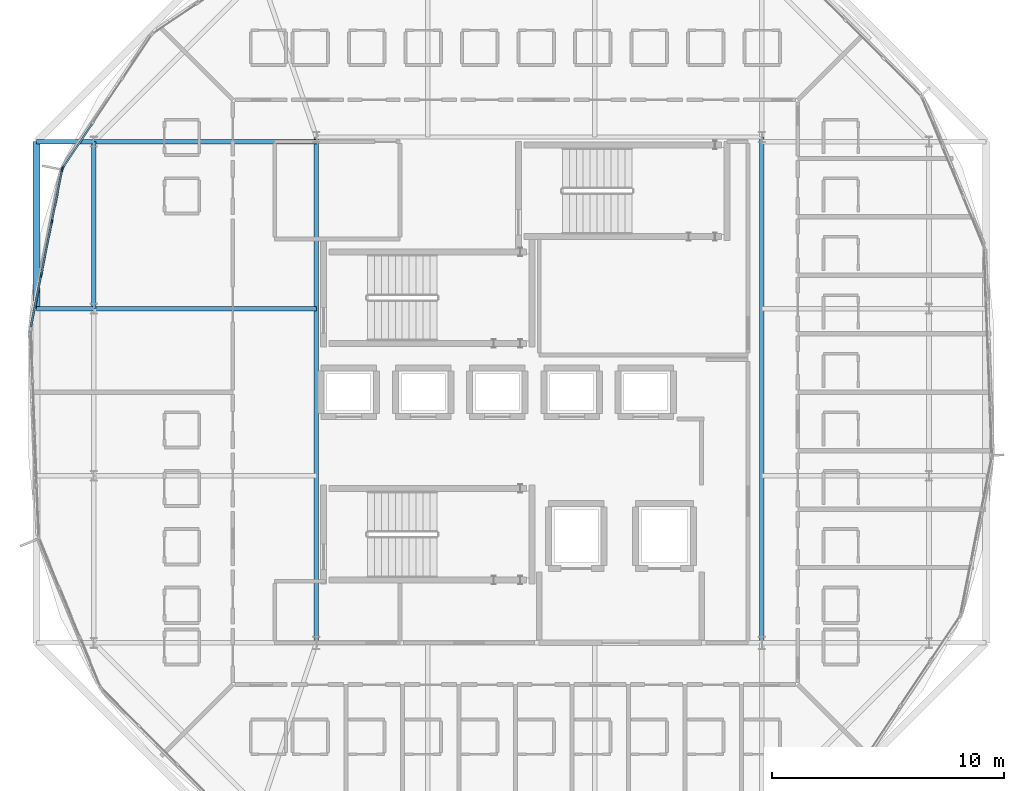
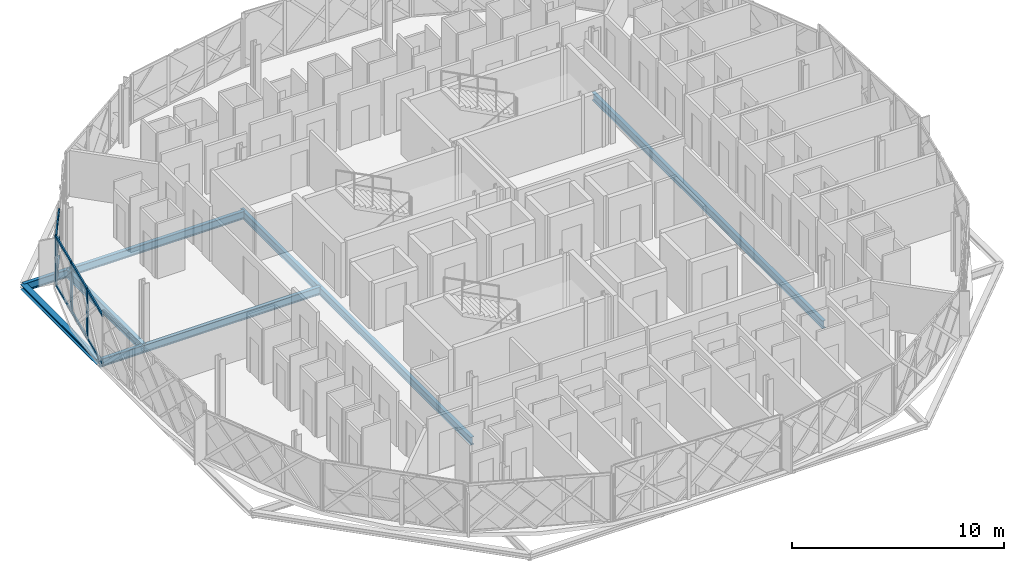
# One storey, part 6 of 24: 13 members, 8 beams, 2 elements without a shape of their own.
"""IFC4 building model written with IfcOpenShell, lengths in metres."""

from ifc_helpers import new_model, si_unit, direction, frame, origin, origin_2d, place, context, subcontext, project, spatial, rectangle, i_section, extrude, material, layer, layer_set, material_profile, profile_set, type_object, element, aggregate, save


model = new_model("IFC4")

# Units and contexts
model_context = context("Model", 3, precision=1e-05, world=origin(), true_north=direction((0.0, 1.0)))
body_context = subcontext(model_context, "Body", "Model", "MODEL_VIEW")
ifc_project = project(units=[si_unit("LENGTHUNIT", "METRE"), si_unit("AREAUNIT", "SQUARE_METRE"), si_unit("VOLUMEUNIT", "CUBIC_METRE"), si_unit("PLANEANGLEUNIT", "RADIAN"), si_unit("MASSUNIT", "GRAM", prefix="KILO")], contexts=[model_context])

# Site, building, storey
site_placement = place(None, origin())
site = spatial("IfcSite", under=ifc_project, at=site_placement, CompositionType="ELEMENT")
building_placement = place(site_placement, origin())
building = spatial("IfcBuilding", under=site, at=building_placement, Name="Zevrakil Square Congress Hotel", CompositionType="ELEMENT")
storey_placement = place(building_placement, frame((0.0, 0.0, 31.699951171875)))
storey = spatial("IfcBuildingStorey", under=building, at=storey_placement, Name="L09", CompositionType="ELEMENT", Elevation=31.699951171875)

# Beams
ifc_material_1 = material(Name="Steel S355", Category="steel")
ifc_material_profile_1 = material_profile(ifc_material_1, i_section(OverallWidth=0.18994140625, OverallDepth=0.449951171875, WebThickness=0.009521484375, FlangeThickness=0.0146484375, FilletRadius=0.02099609375, at=origin_2d()), Name="IPE 450")
ifc_profile_set_1 = profile_set([ifc_material_profile_1], Name="Steel S355")
beam_type_1 = type_object("IfcBeamType", Name="BM-IPE450", PredefinedType="BEAM", material=ifc_profile_set_1)
for number, where, z_axis, x_axis, name in (
    (1, (156.0, 16.800048828125, -0.449951171875), (0.0, 1.0, 0.0), (-1.0, 0.0, 0.0), "L09 drum core perimeter tie beam DCB-02"),
    (2, (136.800048828125, 38.60009765625, -0.449951171875), (0.0, -1.0, 0.0), (1.0, 0.0, 0.0), "L09 drum core perimeter tie beam DCB-04"),
):
    element("IfcBeam", number, at=place(storey_placement, frame(where, z_axis=z_axis, x_axis=x_axis)), inside=storey, type_object=beam_type_1, Name=name, PredefinedType="BEAM", context=body_context, shape_type="SweptSolid", body=[
        extrude(i_section(OverallWidth=0.18994140625, OverallDepth=0.449951171875, WebThickness=0.009521484375, FlangeThickness=0.0146484375, FilletRadius=0.02099609375, at=origin_2d()), origin(), (0.0, 0.0, 1.0), 21.800048828125),
    ])
beam_1_placement = place(storey_placement, frame((136.800048828125, 38.39990234375, -0.449951171875), z_axis=(-1.0, 0.0, 0.0), x_axis=(0.0, -1.0, 0.0)))
element("IfcBeam", 3, at=beam_1_placement, inside=storey, type_object=beam_type_1, Name="L09 drum radial floor beam DRI-13", PredefinedType="BEAM", context=body_context, shape_type="SweptSolid", body=[
    extrude(i_section(OverallWidth=0.18994140625, OverallDepth=0.449951171875, WebThickness=0.009521484375, FlangeThickness=0.0146484375, FilletRadius=0.02099609375, at=origin_2d()), origin(), (0.0, 0.0, 1.0), 9.60009765625),
])
beam_2_placement = place(storey_placement, frame((127.199951171875, 38.39990234375, -0.449951171875), z_axis=(-1.0, 0.0, 0.0), x_axis=(0.0, -1.0, 0.0)))
element("IfcBeam", 4, at=beam_2_placement, inside=storey, type_object=beam_type_1, Name="L09 drum radial edge cantilever beam DRO-13", PredefinedType="BEAM", context=body_context, shape_type="SweptSolid", body=[
    extrude(i_section(OverallWidth=0.18994140625, OverallDepth=0.449951171875, WebThickness=0.009521484375, FlangeThickness=0.0146484375, FilletRadius=0.02099609375, at=origin_2d()), origin(), (0.0, 0.0, 1.0), 2.454833984375),
])
beam_3_placement = place(storey_placement, frame((136.800048828125, 31.199951171875, -0.449951171875), z_axis=(-1.0, 0.0, 0.0), x_axis=(0.0, -1.0, 0.0)))
element("IfcBeam", 5, at=beam_3_placement, inside=storey, type_object=beam_type_1, Name="L09 drum radial floor beam DRI-14", PredefinedType="BEAM", context=body_context, shape_type="SweptSolid", body=[
    extrude(i_section(OverallWidth=0.18994140625, OverallDepth=0.449951171875, WebThickness=0.009521484375, FlangeThickness=0.0146484375, FilletRadius=0.02099609375, at=origin_2d()), origin(), (0.0, 0.0, 1.0), 9.60009765625),
])
beam_4_placement = place(storey_placement, frame((127.199951171875, 31.199951171875, -0.449951171875), z_axis=(-1.0, 0.0, 0.0), x_axis=(0.0, -1.0, 0.0)))
element("IfcBeam", 6, at=beam_4_placement, inside=storey, type_object=beam_type_1, Name="L09 drum radial edge cantilever beam DRO-14", PredefinedType="BEAM", context=body_context, shape_type="SweptSolid", body=[
    extrude(i_section(OverallWidth=0.18994140625, OverallDepth=0.449951171875, WebThickness=0.009521484375, FlangeThickness=0.0146484375, FilletRadius=0.02099609375, at=origin_2d()), origin(), (0.0, 0.0, 1.0), 2.454833984375),
])
ifc_material_2 = material(Name="Steel S355", Category="steel")
ifc_material_profile_2 = material_profile(ifc_material_2, i_section(OverallWidth=0.199951171875, OverallDepth=0.5, WebThickness=0.01025390625, FlangeThickness=0.01611328125, FilletRadius=0.02099609375, at=origin_2d()), Name="IPE 500")
ifc_profile_set_2 = profile_set([ifc_material_profile_2], Name="Steel S355")
beam_type_2 = type_object("IfcBeamType", Name="BM-IPE500", PredefinedType="BEAM", material=ifc_profile_set_2)
beam_5_placement = place(storey_placement, frame((127.199951171875, 38.39990234375, -0.474853515625), z_axis=(0.0, -1.0, 0.0), x_axis=(1.0, 0.0, 0.0)))
element("IfcBeam", 7, at=beam_5_placement, inside=storey, type_object=beam_type_2, Name="L09 drum ring girder DRB-13", PredefinedType="BEAM", context=body_context, shape_type="SweptSolid", body=[
    extrude(i_section(OverallWidth=0.199951171875, OverallDepth=0.5, WebThickness=0.01025390625, FlangeThickness=0.01611328125, FilletRadius=0.02099609375, at=origin_2d()), origin(), (0.0, 0.0, 1.0), 7.199951171875),
])

# Curtain wall, members
ifc_material_3 = material(Name="Aluminium Anodised Bronze", Category="aluminium")
ifc_layer = layer(ifc_material_3, 0.179931640625)
ifc_layer_set = layer_set([ifc_layer], Name="Aluminium Anodised Bronze")
curtain_wall_type = type_object("IfcCurtainWallType", Name="CW-L09-720", PredefinedType="USERDEFINED", material=ifc_layer_set)
curtain_wall_1_placement = place(storey_placement, origin())
curtain_wall_1 = element("IfcCurtainWall", 8, at=curtain_wall_1_placement, inside=storey, type_object=curtain_wall_type, Name="L09 diamond curtain wall CW-L09-0264", ObjectType="GLAZED CURTAIN WALL", PredefinedType="USERDEFINED")
ifc_material_4 = material(Name="Aluminium Anodised Bronze", Category="aluminium")
ifc_material_profile_3 = material_profile(ifc_material_4, rectangle(XDim=0.074951171875, YDim=0.14990234375, at=origin_2d()), Name="ALU 75x150")
ifc_profile_set_3 = profile_set([ifc_material_profile_3], Name="Aluminium Anodised Bronze")
member_type_1 = type_object("IfcMemberType", Name="CWM-ALU75x150", PredefinedType="USERDEFINED", material=ifc_profile_set_3)
member_1_placement = place(storey_placement, frame((127.13232421875, 39.147705078125, 0.030029296875), z_axis=(-0.555578212179, -0.831464280743, 0.0), x_axis=(0.831464280743, -0.555578212179, 0.0)))
member_1 = element("IfcMember", 9, at=member_1_placement, type_object=member_type_1, Name="CW-106 transom 3.1", ObjectType="TRANSOM", PredefinedType="USERDEFINED", context=body_context, shape_type="SweptSolid", body=[
    extrude(rectangle(XDim=0.074951171875, YDim=0.14990234375, at=origin_2d()), origin(), (0.0, 0.0, 1.0), 2.2451171875),
])
member_2_placement = place(storey_placement, frame((127.13232421875, 39.147705078125, 1.1572265625), z_axis=(-0.555578212179, -0.831464280743, 0.0), x_axis=(0.831464280743, -0.555578212179, 0.0)))
member_2 = element("IfcMember", 10, at=member_2_placement, type_object=member_type_1, Name="CW-106 transom 3.2", ObjectType="TRANSOM", PredefinedType="USERDEFINED", context=body_context, shape_type="SweptSolid", body=[
    extrude(rectangle(XDim=0.074951171875, YDim=0.14990234375, at=origin_2d()), origin(), (0.0, 0.0, 1.0), 2.2451171875),
])
member_3_placement = place(storey_placement, frame((127.13232421875, 39.147705078125, 2.72509765625), z_axis=(-0.555578212179, -0.831464280743, 0.0), x_axis=(0.831464280743, -0.555578212179, 0.0)))
member_3 = element("IfcMember", 11, at=member_3_placement, type_object=member_type_1, Name="CW-106 transom 3.3", ObjectType="TRANSOM", PredefinedType="USERDEFINED", context=body_context, shape_type="SweptSolid", body=[
    extrude(rectangle(XDim=0.074951171875, YDim=0.14990234375, at=origin_2d()), origin(), (0.0, 0.0, 1.0), 2.2451171875),
])

curtain_wall_2_placement = place(storey_placement, origin())
curtain_wall_2 = element("IfcCurtainWall", 12, at=curtain_wall_2_placement, inside=storey, type_object=curtain_wall_type, Name="L09 diamond curtain wall CW-L09-0265", ObjectType="GLAZED CURTAIN WALL", PredefinedType="USERDEFINED")
member_4_placement = place(storey_placement, frame((125.840087890625, 37.17236328125, 0.030029296875), z_axis=(-0.195070495322, -0.98078922397, 0.0), x_axis=(0.98078922397, -0.195070495322, 0.0)))
member_4 = element("IfcMember", 13, at=member_4_placement, type_object=member_type_1, Name="CW-106 transom 1.1", ObjectType="TRANSOM", PredefinedType="USERDEFINED", context=body_context, shape_type="SweptSolid", body=[
    extrude(rectangle(XDim=0.074951171875, YDim=0.14990234375, at=origin_2d()), origin(), (0.0, 0.0, 1.0), 2.245361328125),
])
member_5_placement = place(storey_placement, frame((125.840087890625, 37.17236328125, 2.824951171875), z_axis=(-0.195070495322, -0.98078922397, 0.0), x_axis=(0.98078922397, -0.195070495322, 0.0)))
member_5 = element("IfcMember", 14, at=member_5_placement, type_object=member_type_1, Name="CW-106 transom 1.2", ObjectType="TRANSOM", PredefinedType="USERDEFINED", context=body_context, shape_type="SweptSolid", body=[
    extrude(rectangle(XDim=0.074951171875, YDim=0.14990234375, at=origin_2d()), origin(), (0.0, 0.0, 1.0), 2.245361328125),
])
member_6_placement = place(storey_placement, frame((125.390380859375, 34.911376953125, 0.030029296875), z_axis=(-0.19506369837, -0.9807905758, 0.0), x_axis=(0.9807905758, -0.19506369837, 0.0)))
member_6 = element("IfcMember", 15, at=member_6_placement, type_object=member_type_1, Name="CW-106 transom 2.1", ObjectType="TRANSOM", PredefinedType="USERDEFINED", context=body_context, shape_type="SweptSolid", body=[
    extrude(rectangle(XDim=0.074951171875, YDim=0.14990234375, at=origin_2d()), origin(), (0.0, 0.0, 1.0), 2.275390625),
])
member_7_placement = place(storey_placement, frame((125.390380859375, 34.911376953125, 2.824951171875), z_axis=(-0.19506369837, -0.9807905758, 0.0), x_axis=(0.9807905758, -0.19506369837, 0.0)))
member_7 = element("IfcMember", 16, at=member_7_placement, type_object=member_type_1, Name="CW-106 transom 2.2", ObjectType="TRANSOM", PredefinedType="USERDEFINED", context=body_context, shape_type="SweptSolid", body=[
    extrude(rectangle(XDim=0.074951171875, YDim=0.14990234375, at=origin_2d()), origin(), (0.0, 0.0, 1.0), 2.275390625),
])
member_8_placement = place(storey_placement, frame((124.934814453125, 32.620849609375, 0.030029296875), z_axis=(-0.195091300997, -0.980785085671, 0.0), x_axis=(0.980785085671, -0.195091300997, 0.0)))
member_8 = element("IfcMember", 17, at=member_8_placement, type_object=member_type_1, Name="CW-106 transom 3.1", ObjectType="TRANSOM", PredefinedType="USERDEFINED", context=body_context, shape_type="SweptSolid", body=[
    extrude(rectangle(XDim=0.074951171875, YDim=0.14990234375, at=origin_2d()), origin(), (0.0, 0.0, 1.0), 2.2451171875),
])
member_9_placement = place(storey_placement, frame((124.934814453125, 32.620849609375, 2.824951171875), z_axis=(-0.195091300997, -0.980785085671, 0.0), x_axis=(0.980785085671, -0.195091300997, 0.0)))
member_9 = element("IfcMember", 18, at=member_9_placement, type_object=member_type_1, Name="CW-106 transom 3.2", ObjectType="TRANSOM", PredefinedType="USERDEFINED", context=body_context, shape_type="SweptSolid", body=[
    extrude(rectangle(XDim=0.074951171875, YDim=0.14990234375, at=origin_2d()), origin(), (0.0, 0.0, 1.0), 2.2451171875),
])

# Member
ifc_material_5 = material(Name="Aluminium Anodised Bronze", Category="aluminium")
ifc_material_profile_4 = material_profile(ifc_material_5, rectangle(XDim=0.074951171875, YDim=0.179931640625, at=origin_2d()), Name="ALU 75x180")
ifc_profile_set_4 = profile_set([ifc_material_profile_4], Name="Aluminium Anodised Bronze")
member_type_2 = type_object("IfcMemberType", Name="CWM-ALU75x180", PredefinedType="MULLION", material=ifc_profile_set_4)
member_10_placement = place(storey_placement, frame((125.868408203125, 37.256103515625, 0.0), z_axis=(0.0, 0.0, 1.0), x_axis=(0.831465693332, -0.555576098128, 0.0)))
member_10 = element("IfcMember", 19, at=member_10_placement, type_object=member_type_2, Name="CW-106 mullion 4", PredefinedType="MULLION", context=body_context, shape_type="SweptSolid", body=[
    extrude(rectangle(XDim=0.074951171875, YDim=0.179931640625, at=origin_2d()), origin(), (0.0, 0.0, 1.0), 2.755126953125),
])

aggregate(curtain_wall_1, [member_10, member_1, member_2, member_3])

member_11_placement = place(storey_placement, frame((125.845947265625, 37.20166015625, 0.0), z_axis=(0.0, 0.0, 1.0), x_axis=(0.980786557708, -0.195083900459, 0.0)))
member_11 = element("IfcMember", 20, at=member_11_placement, type_object=member_type_2, Name="CW-106 mullion 1", PredefinedType="MULLION", context=body_context, shape_type="SweptSolid", body=[
    extrude(rectangle(XDim=0.074951171875, YDim=0.179931640625, at=origin_2d()), origin(), (0.0, 0.0, 1.0), 2.85498046875),
])

member_12_placement = place(storey_placement, frame((125.396240234375, 34.940673828125, 0.0), z_axis=(0.0, 0.0, 1.0), x_axis=(0.980786557708, -0.195083900459, 0.0)))
member_12 = element("IfcMember", 21, at=member_12_placement, type_object=member_type_2, Name="CW-106 mullion 2", PredefinedType="MULLION", context=body_context, shape_type="SweptSolid", body=[
    extrude(rectangle(XDim=0.074951171875, YDim=0.179931640625, at=origin_2d()), origin(), (0.0, 0.0, 1.0), 2.85498046875),
])

member_13_placement = place(storey_placement, frame((124.940673828125, 32.650390625, 0.0), z_axis=(0.0, 0.0, 1.0), x_axis=(0.980786557708, -0.195083900459, 0.0)))
member_13 = element("IfcMember", 22, at=member_13_placement, type_object=member_type_2, Name="CW-106 mullion 3", PredefinedType="MULLION", context=body_context, shape_type="SweptSolid", body=[
    extrude(rectangle(XDim=0.074951171875, YDim=0.179931640625, at=origin_2d()), origin(), (0.0, 0.0, 1.0), 2.85498046875),
])

aggregate(curtain_wall_2, [member_11, member_12, member_13, member_4, member_5, member_6, member_7, member_8, member_9])

# Beam
ifc_material_6 = material(Name="Steel S355", Category="steel")
ifc_material_profile_5 = material_profile(ifc_material_6, i_section(OverallWidth=0.300048828125, OverallDepth=0.300048828125, WebThickness=0.010986328125, FlangeThickness=0.01904296875, FilletRadius=0.027099609375, at=origin_2d()), Name="HEB 300")
ifc_profile_set_5 = profile_set([ifc_material_profile_5], Name="Steel S355")
beam_type_3 = type_object("IfcBeamType", Name="SPD-RHS250", PredefinedType="SPANDREL", material=ifc_profile_set_5)
beam_6_placement = place(storey_placement, frame((124.7451171875, 38.39990234375, -0.375), z_axis=(0.0, -1.0, 0.0), x_axis=(1.0, 0.0, 0.0)))
element("IfcBeam", 23, at=beam_6_placement, inside=storey, type_object=beam_type_3, Name="L09 drum edge spandrel beam DSP-12", PredefinedType="SPANDREL", context=body_context, shape_type="SweptSolid", body=[
    extrude(i_section(OverallWidth=0.300048828125, OverallDepth=0.300048828125, WebThickness=0.010986328125, FlangeThickness=0.01904296875, FilletRadius=0.027099609375, at=origin_2d()), origin(), (0.0, 0.0, 1.0), 7.199951171875),
])

save(model, "model.ifc")
